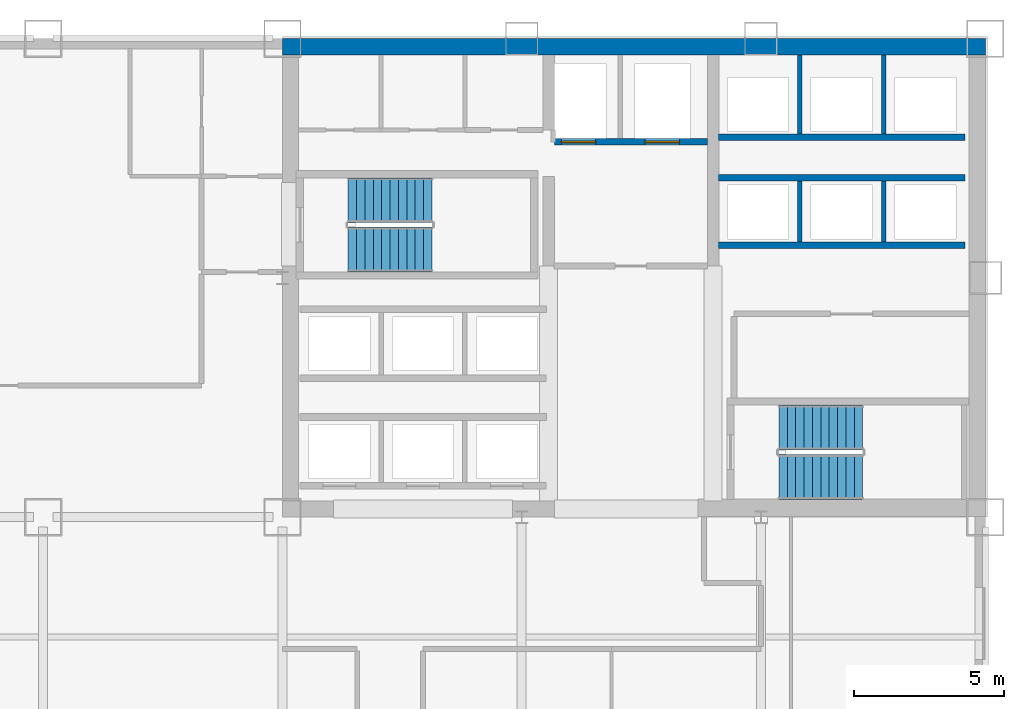
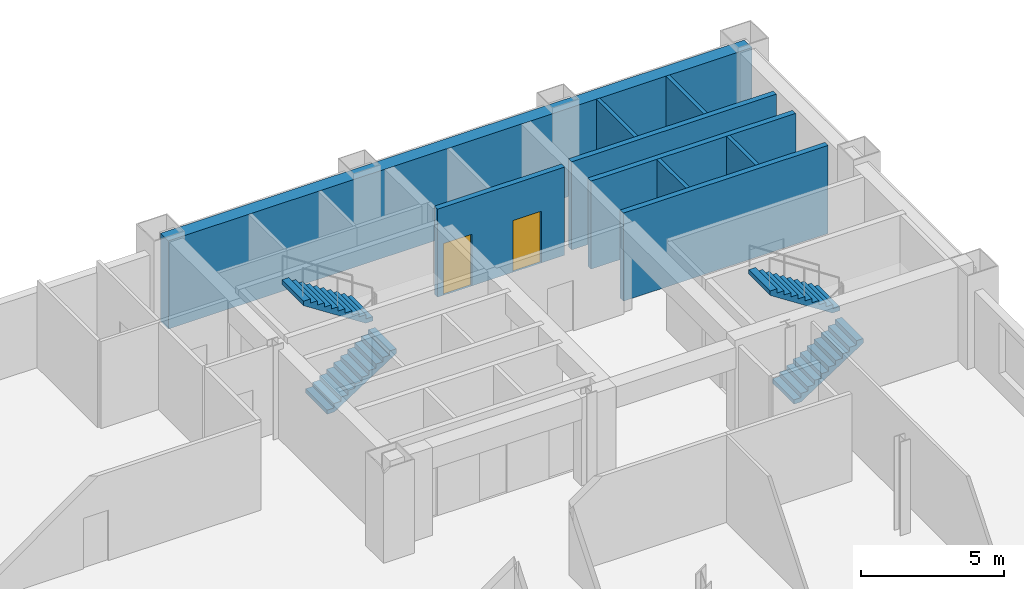
# One storey, part 7 of 9: 9 walls, 4 stair flights, 2 doors, 2 openings, 2 elements without a shape of their own.
"""IFC4 building model written with IfcOpenShell, lengths in metres."""

from ifc_helpers import new_model, si_unit, direction, frame, frame_2d, origin, place, context, subcontext, project, spatial, polyline, rectangle, outline, extrude, material, layer, layer_set, type_object, element, fill, aggregate, save


model = new_model("IFC4")

# Units and contexts
model_context = context("Model", 3, precision=1e-05, world=origin(), true_north=direction((0.0, 1.0)))
body_context = subcontext(model_context, "Body", "Model", "MODEL_VIEW")
ifc_project = project(units=[si_unit("LENGTHUNIT", "METRE"), si_unit("AREAUNIT", "SQUARE_METRE"), si_unit("VOLUMEUNIT", "CUBIC_METRE"), si_unit("PLANEANGLEUNIT", "RADIAN"), si_unit("MASSUNIT", "GRAM", prefix="KILO")], contexts=[model_context])

# Site, building, storey
site_placement = place(None, origin())
site = spatial("IfcSite", under=ifc_project, at=site_placement, CompositionType="ELEMENT")
building_placement = place(site_placement, origin())
building = spatial("IfcBuilding", under=site, at=building_placement, Name="Qianrong Seaharbour Tower", CompositionType="ELEMENT")
storey_placement = place(building_placement, frame((0.0, 0.0, 72.199951171875)))
storey = spatial("IfcBuildingStorey", under=building, at=storey_placement, Name="L17", CompositionType="ELEMENT", Elevation=72.199951171875)

# Walls
ifc_material_1 = material(Name="Concrete C70/85", Category="concrete")
ifc_layer_1 = layer(ifc_material_1, 0.5400390625)
ifc_layer_set_1 = layer_set([ifc_layer_1], Name="Concrete C70/85")
wall_type_1 = type_object("IfcWallType", Name="WALL-CORE-540", PredefinedType="SHEAR", material=ifc_layer_set_1)
wall_1_placement = place(storey_placement, frame((40.5, 51.72998046875, 0.0), z_axis=(0.0, 0.0, 1.0), x_axis=(1.0, 0.0, 0.0)))
element("IfcWall", 1, at=wall_1_placement, inside=storey, type_object=wall_type_1, Name="L17 North Core Shear Wall", PredefinedType="SHEAR", context=body_context, shape_type="SweptSolid", body=[
    extrude(rectangle(XDim=23.5, YDim=0.5400390625, at=frame_2d((11.75, 0.0))), origin(), (0.0, 0.0, 1.0), 3.75),
])
ifc_material_2 = material(Name="Fire-rated gypsum board on steel studs", Category="steel")
ifc_layer_2 = layer(ifc_material_2, 0.14990234375)
ifc_layer_set_2 = layer_set([ifc_layer_2], Name="Fire-rated gypsum board on steel studs")
wall_type_2 = type_object("IfcWallType", Name="WALL-SHAFT-DIV-150", PredefinedType="PARTITIONING", material=ifc_layer_set_2)
for number, where, z_axis, x_axis, name in (
    (2, (57.800048828125, 45.2099609375, 0.0), (0.0, 0.0, 1.0), (0.0, 1.0, 0.0), "L17 P3 Lift Hoistway Divider 2"),
    (3, (60.60009765625, 45.2099609375, 0.0), (0.0, 0.0, 1.0), (0.0, 1.0, 0.0), "L17 P3 Lift Hoistway Divider 3"),
):
    element("IfcWall", number, at=place(storey_placement, frame(where, z_axis=z_axis, x_axis=x_axis)), inside=storey, type_object=wall_type_2, Name=name, PredefinedType="PARTITIONING", context=body_context, shape_type="SweptSolid", body=[
        extrude(rectangle(XDim=2.030029296875, YDim=0.14990234375, at=frame_2d((1.01513671875, 0.0))), origin(), (0.0, 0.0, 1.0), 3.75),
    ])
for number, where, z_axis, x_axis, name in (
    (4, (57.800048828125, 48.81005859375, 0.0), (0.0, 0.0, 1.0), (0.0, 1.0, 0.0), "L17 P4 Lift Hoistway Divider 2"),
    (5, (60.60009765625, 48.81005859375, 0.0), (0.0, 0.0, 1.0), (0.0, 1.0, 0.0), "L17 P4 Lift Hoistway Divider 3"),
):
    element("IfcWall", number, at=place(storey_placement, frame(where, z_axis=z_axis, x_axis=x_axis)), inside=storey, type_object=wall_type_2, Name=name, PredefinedType="PARTITIONING", context=body_context, shape_type="SweptSolid", body=[
        extrude(rectangle(XDim=2.64990234375, YDim=0.14990234375, at=frame_2d((1.324951171875, 0.0))), origin(), (0.0, 0.0, 1.0), 3.75),
    ])

# Wall, openings, doors
ifc_layer_3 = layer(ifc_material_2, 0.219970703125)
ifc_layer_set_3 = layer_set([ifc_layer_3], Name="Fire-rated gypsum board on steel studs")
wall_type_3 = type_object("IfcWallType", Name="WALL-SHAFT-GYP220", PredefinedType="PARTITIONING", material=ifc_layer_set_3)
wall_2_placement = place(storey_placement, frame((54.7099609375, 48.550048828125, 0.0), z_axis=(0.0, 0.0, 1.0), x_axis=(-1.0, 0.0, 0.0)))
wall_2 = element("IfcWall", 6, at=wall_2_placement, inside=storey, type_object=wall_type_3, Name="L17 Firefighting Lift Shaft Front Wall", PredefinedType="PARTITIONING", context=body_context, shape_type="SweptSolid", body=[
    extrude(rectangle(XDim=5.119873046875, YDim=0.219970703125, at=frame_2d((2.56005859375, 0.0))), origin(), (0.0, 0.0, 1.0), 3.75),
])
opening_1_placement = place(wall_2_placement, frame((3.735107421875, 0.0, 0.0)))
opening_1 = element("IfcOpeningElement", 7, at=opening_1_placement, cuts=wall_2, Name="Opening LD-01", PredefinedType="OPENING", context=body_context, shape_type="SweptSolid", body=[
    extrude(rectangle(XDim=1.14990234375, YDim=2.199951171875, at=frame_2d((0.574951171875, 1.10009765625))), frame((0.0, 0.1201171875, 0.0), z_axis=(0.0, -1.0, 0.0), x_axis=(1.0, 0.0, 0.0)), (0.0, 0.0, 1.0), 0.239990234375),
])
opening_2_placement = place(wall_2_placement, frame((0.93505859375, 0.0, 0.0)))
opening_2 = element("IfcOpeningElement", 8, at=opening_2_placement, cuts=wall_2, Name="Opening LD-01", PredefinedType="OPENING", context=body_context, shape_type="SweptSolid", body=[
    extrude(rectangle(XDim=1.14990234375, YDim=2.199951171875, at=frame_2d((0.574951171875, 1.10009765625))), frame((0.0, 0.1201171875, 0.0), z_axis=(0.0, -1.0, 0.0), x_axis=(1.0, 0.0, 0.0)), (0.0, 0.0, 1.0), 0.239990234375),
])
ifc_material_3 = material(Name="Stainless steel SUS316L bi-parting lift landing door", Category="steel")
door_type = type_object("IfcDoorType", Name="DOOR-LIFT-FF-1150x2200", OperationType="DOUBLE_DOOR_SLIDING", PredefinedType="DOOR", material=ifc_material_3)
door_1_placement = place(opening_1_placement, origin())
door_1 = element("IfcDoor", 9, at=door_1_placement, inside=storey, type_object=door_type, Name="L17 FL-1 Firefighting Lift Landing Door", OperationType="DOUBLE_DOOR_SLIDING", OverallHeight=2.199951171875, OverallWidth=1.14990234375, PredefinedType="DOOR", context=body_context, shape_type="SweptSolid", body=[
    extrude(rectangle(XDim=1.14990234375, YDim=2.199951171875, at=frame_2d((0.574951171875, 1.10009765625))), frame((0.0, 0.02490234375, 0.0), z_axis=(0.0, -1.0, 0.0), x_axis=(1.0, 0.0, 0.0)), (0.0, 0.0, 1.0), 0.050048828125),
])
fill(opening_1, door_1)
door_2_placement = place(opening_2_placement, origin())
door_2 = element("IfcDoor", 10, at=door_2_placement, inside=storey, type_object=door_type, Name="L17 FL-2 Firefighting Lift Landing Door", OperationType="DOUBLE_DOOR_SLIDING", OverallHeight=2.199951171875, OverallWidth=1.14990234375, PredefinedType="DOOR", context=body_context, shape_type="SweptSolid", body=[
    extrude(rectangle(XDim=1.14990234375, YDim=2.199951171875, at=frame_2d((0.574951171875, 1.10009765625))), frame((0.0, 0.02490234375, 0.0), z_axis=(0.0, -1.0, 0.0), x_axis=(1.0, 0.0, 0.0)), (0.0, 0.0, 1.0), 0.050048828125),
])
fill(opening_2, door_2)

# Walls
for number, where, z_axis, x_axis, name in (
    (11, (63.320068359375, 45.10009765625, 0.0), (0.0, 0.0, 1.0), (-1.0, 0.0, 0.0), "L17 P3 Lift Hoistway Front Wall"),
    (12, (55.080078125, 47.35009765625, 0.0), (0.0, 0.0, 1.0), (1.0, 0.0, 0.0), "L17 P3 Lift Hoistway Back Wall"),
    (13, (63.320068359375, 48.699951171875, 0.0), (0.0, 0.0, 1.0), (-1.0, 0.0, 0.0), "L17 P4 Lift Hoistway Front Wall"),
):
    element("IfcWall", number, at=place(storey_placement, frame(where, z_axis=z_axis, x_axis=x_axis)), inside=storey, type_object=wall_type_3, Name=name, PredefinedType="PARTITIONING", context=body_context, shape_type="SweptSolid", body=[
        extrude(rectangle(XDim=8.239990234375, YDim=0.219970703125, at=frame_2d((4.1201171875, 0.0))), origin(), (0.0, 0.0, 1.0), 3.75),
    ])

# Stair, stair flights
ifc_material_4 = material(Name="Concrete C50/60", Category="concrete")
stair_type = type_object("IfcStairType", Name="STAIR-DOGLEG-1500-R22", PredefinedType="HALF_TURN_STAIR", material=ifc_material_4)
stair_1_placement = place(storey_placement, origin())
stair_1 = element("IfcStair", 14, at=stair_1_placement, inside=storey, type_object=stair_type, Name="L17 Protected Escape Stair ST-1", PredefinedType="HALF_TURN_STAIR")
stair_flight_type = type_object("IfcStairFlightType", Name="FLIGHT-STR-1500-R22", PredefinedType="STRAIGHT", material=ifc_material_4)
stair_flight_1_placement = place(storey_placement, frame((42.699951171875, 44.949951171875, 0.0), z_axis=(0.0, 0.0, 1.0), x_axis=(1.0, 0.0, 0.0)))
stair_flight_1 = element("IfcStairFlight", 15, at=stair_flight_1_placement, type_object=stair_flight_type, Name="ST-1 flight 1", NumberOfRisers=11, NumberOfTreads=10, PredefinedType="STRAIGHT", RiserHeight=0.181818182, TreadLength=0.28, context=body_context, shape_type="SweptSolid", body=[
    extrude(outline(polyline([(0.0, 0.0), (0.0, 0.181884765625), (0.280029296875, 0.181884765625), (0.280029296875, 0.363525390625), (0.56005859375, 0.363525390625), (0.56005859375, 0.54541015625), (0.840087890625, 0.54541015625), (0.840087890625, 0.727294921875), (1.1201171875, 0.727294921875), (1.1201171875, 0.9091796875), (1.39990234375, 0.9091796875), (1.39990234375, 1.0908203125), (1.679931640625, 1.0908203125), (1.679931640625, 1.272705078125), (1.9599609375, 1.272705078125), (1.9599609375, 1.45458984375), (2.239990234375, 1.45458984375), (2.239990234375, 1.636474609375), (2.52001953125, 1.636474609375), (2.52001953125, 1.818115234375), (2.800048828125, 1.818115234375), (2.800048828125, 2.0), (2.800048828125, 1.62744140625), (0.293701171875, 0.0), (0.0, 0.0)])), frame((0.0, 0.75, 0.0), z_axis=(0.0, -1.0, 0.0), x_axis=(1.0, 0.0, 0.0)), (0.0, 0.0, 1.0), 1.5),
])
stair_flight_2_placement = place(storey_placement, frame((45.5, 46.60009765625, 2.0), z_axis=(0.0, 0.0, 1.0), x_axis=(-1.0, 0.0, 0.0)))
stair_flight_2 = element("IfcStairFlight", 16, at=stair_flight_2_placement, type_object=stair_flight_type, Name="ST-1 flight 2", NumberOfRisers=11, NumberOfTreads=10, PredefinedType="STRAIGHT", RiserHeight=0.181818182, TreadLength=0.28, context=body_context, shape_type="SweptSolid", body=[
    extrude(outline(polyline([(0.0, 0.0), (0.0, 0.181884765625), (0.280029296875, 0.181884765625), (0.280029296875, 0.363525390625), (0.56005859375, 0.363525390625), (0.56005859375, 0.54541015625), (0.840087890625, 0.54541015625), (0.840087890625, 0.727294921875), (1.1201171875, 0.727294921875), (1.1201171875, 0.9091796875), (1.39990234375, 0.9091796875), (1.39990234375, 1.0908203125), (1.679931640625, 1.0908203125), (1.679931640625, 1.272705078125), (1.9599609375, 1.272705078125), (1.9599609375, 1.45458984375), (2.239990234375, 1.45458984375), (2.239990234375, 1.636474609375), (2.52001953125, 1.636474609375), (2.52001953125, 1.818115234375), (2.800048828125, 1.818115234375), (2.800048828125, 2.0), (2.800048828125, 1.62744140625), (0.293701171875, 0.0), (0.0, 0.0)])), frame((0.0, 0.75, 0.0), z_axis=(0.0, -1.0, 0.0), x_axis=(1.0, 0.0, 0.0)), (0.0, 0.0, 1.0), 1.5),
])
aggregate(stair_1, [stair_flight_1, stair_flight_2])

stair_2_placement = place(storey_placement, origin())
stair_2 = element("IfcStair", 17, at=stair_2_placement, inside=storey, type_object=stair_type, Name="L17 Protected Escape Stair ST-2", PredefinedType="HALF_TURN_STAIR")
stair_flight_3_placement = place(storey_placement, frame((57.10009765625, 37.35009765625, 0.0), z_axis=(0.0, 0.0, 1.0), x_axis=(1.0, 0.0, 0.0)))
stair_flight_3 = element("IfcStairFlight", 18, at=stair_flight_3_placement, type_object=stair_flight_type, Name="ST-2 flight 1", NumberOfRisers=11, NumberOfTreads=10, PredefinedType="STRAIGHT", RiserHeight=0.181818182, TreadLength=0.28, context=body_context, shape_type="SweptSolid", body=[
    extrude(outline(polyline([(0.0, 0.0), (0.0, 0.181884765625), (0.280029296875, 0.181884765625), (0.280029296875, 0.363525390625), (0.56005859375, 0.363525390625), (0.56005859375, 0.54541015625), (0.840087890625, 0.54541015625), (0.840087890625, 0.727294921875), (1.1201171875, 0.727294921875), (1.1201171875, 0.9091796875), (1.39990234375, 0.9091796875), (1.39990234375, 1.0908203125), (1.679931640625, 1.0908203125), (1.679931640625, 1.272705078125), (1.9599609375, 1.272705078125), (1.9599609375, 1.45458984375), (2.239990234375, 1.45458984375), (2.239990234375, 1.636474609375), (2.52001953125, 1.636474609375), (2.52001953125, 1.818115234375), (2.800048828125, 1.818115234375), (2.800048828125, 2.0), (2.800048828125, 1.62744140625), (0.293701171875, 0.0), (0.0, 0.0)])), frame((0.0, 0.75, 0.0), z_axis=(0.0, -1.0, 0.0), x_axis=(1.0, 0.0, 0.0)), (0.0, 0.0, 1.0), 1.5),
])
stair_flight_4_placement = place(storey_placement, frame((59.89990234375, 39.0, 2.0), z_axis=(0.0, 0.0, 1.0), x_axis=(-1.0, 0.0, 0.0)))
stair_flight_4 = element("IfcStairFlight", 19, at=stair_flight_4_placement, type_object=stair_flight_type, Name="ST-2 flight 2", NumberOfRisers=11, NumberOfTreads=10, PredefinedType="STRAIGHT", RiserHeight=0.181818182, TreadLength=0.28, context=body_context, shape_type="SweptSolid", body=[
    extrude(outline(polyline([(0.0, 0.0), (0.0, 0.181884765625), (0.280029296875, 0.181884765625), (0.280029296875, 0.363525390625), (0.56005859375, 0.363525390625), (0.56005859375, 0.54541015625), (0.840087890625, 0.54541015625), (0.840087890625, 0.727294921875), (1.1201171875, 0.727294921875), (1.1201171875, 0.9091796875), (1.39990234375, 0.9091796875), (1.39990234375, 1.0908203125), (1.679931640625, 1.0908203125), (1.679931640625, 1.272705078125), (1.9599609375, 1.272705078125), (1.9599609375, 1.45458984375), (2.239990234375, 1.45458984375), (2.239990234375, 1.636474609375), (2.52001953125, 1.636474609375), (2.52001953125, 1.818115234375), (2.800048828125, 1.818115234375), (2.800048828125, 2.0), (2.800048828125, 1.62744140625), (0.293701171875, 0.0), (0.0, 0.0)])), frame((0.0, 0.75, 0.0), z_axis=(0.0, -1.0, 0.0), x_axis=(1.0, 0.0, 0.0)), (0.0, 0.0, 1.0), 1.5),
])
aggregate(stair_2, [stair_flight_3, stair_flight_4])

save(model, "model.ifc")
